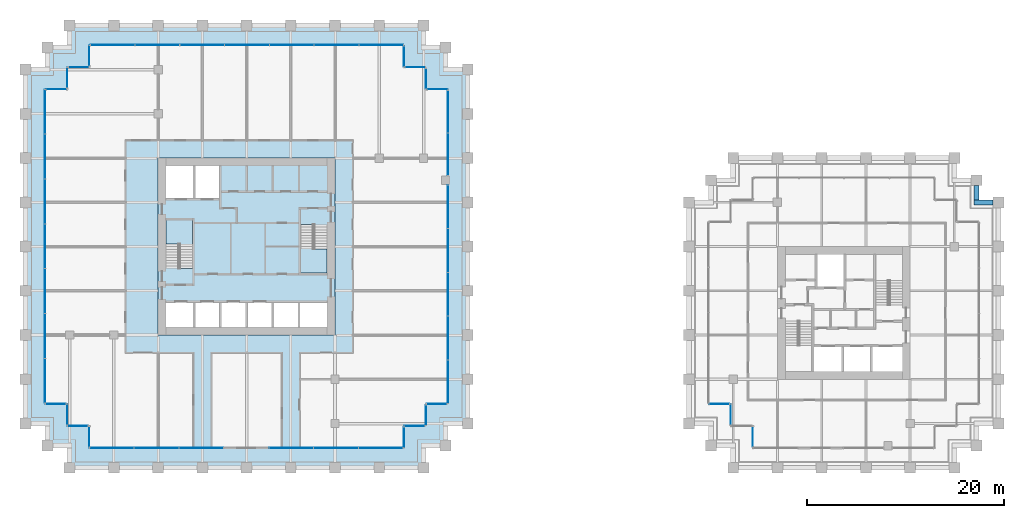
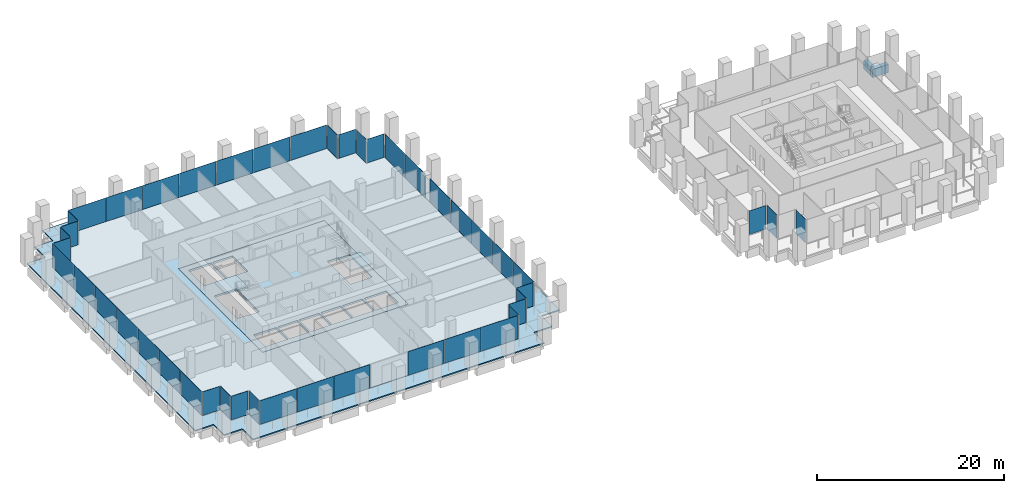
# One storey, part 48 of 56: 46 plates, 5 slabs, 2 beams, 27 elements without a shape of their own.
"""IFC4 building model written with IfcOpenShell, lengths in metres."""

from ifc_helpers import new_model, si_unit, direction, frame, origin, origin_2d, place, context, subcontext, project, spatial, polyline, rectangle, outline, extrude, material, layer, layer_set, material_profile, profile_set, type_object, element, aggregate, save


model = new_model("IFC4")

# Units and contexts
model_context = context("Model", 3, precision=1e-05, world=origin(), true_north=direction((0.0, 1.0)))
body_context = subcontext(model_context, "Body", "Model", "MODEL_VIEW")
ifc_project = project(units=[si_unit("LENGTHUNIT", "METRE"), si_unit("AREAUNIT", "SQUARE_METRE"), si_unit("VOLUMEUNIT", "CUBIC_METRE"), si_unit("PLANEANGLEUNIT", "RADIAN"), si_unit("MASSUNIT", "GRAM", prefix="KILO")], contexts=[model_context])

# Site, building, storey
site_placement = place(None, origin())
site = spatial("IfcSite", under=ifc_project, at=site_placement, CompositionType="ELEMENT")
building_placement = place(site_placement, origin())
building = spatial("IfcBuilding", under=site, at=building_placement, Name="Altepetl Exchange Towers", CompositionType="ELEMENT")
storey_placement = place(building_placement, frame((0.0, 0.0, 69.0)))
storey = spatial("IfcBuildingStorey", under=building, at=storey_placement, Name="L16", CompositionType="ELEMENT", Elevation=69.0)

# Beams
ifc_material_1 = material(Name="Concrete C50/60 precast with cantera amarilla facing", Category="concrete")
ifc_material_profile = material_profile(ifc_material_1, rectangle(XDim=0.5, YDim=1.10009765625, at=origin_2d()), Name="500 x 1100")
ifc_profile_set = profile_set([ifc_material_profile], Name="Concrete C50/60 precast with cantera amarilla facing")
beam_type = type_object("IfcBeamType", Name="Spandrel beam 500x1100 cantera amarilla", PredefinedType="SPANDREL", material=ifc_profile_set)
beam_1_placement = place(storey_placement, frame((125.449951171875, 54.0, -0.699951171875), z_axis=(-1.0, 0.0, 0.0), x_axis=(0.0, -1.0, 0.0)))
element("IfcBeam", 1, at=beam_1_placement, inside=storey, type_object=beam_type, Name="sp:B:L16:014", PredefinedType="SPANDREL", context=body_context, shape_type="SweptSolid", body=[
    extrude(rectangle(XDim=0.5, YDim=1.10009765625, at=origin_2d()), origin(), (0.0, 0.0, 1.0), 1.949951171875),
])
beam_2_placement = place(storey_placement, frame((123.75, 54.25, -0.699951171875), z_axis=(0.0, 1.0, 0.0), x_axis=(-1.0, 0.0, 0.0)))
element("IfcBeam", 2, at=beam_2_placement, inside=storey, type_object=beam_type, Name="sp:B:L16:015", PredefinedType="SPANDREL", context=body_context, shape_type="SweptSolid", body=[
    extrude(rectangle(XDim=0.5, YDim=1.10009765625, at=origin_2d()), origin(), (0.0, 0.0, 1.0), 1.449951171875),
])

# Slabs
ifc_material_2 = material(Name="Concrete C40/50", Category="concrete")
ifc_layer_1 = layer(ifc_material_2, 0.14990234375)
ifc_layer_set_1 = layer_set([ifc_layer_1], Name="Concrete C40/50")
slab_type_1 = type_object("IfcSlabType", Name="Composite floor slab 150", PredefinedType="FLOOR", material=ifc_layer_set_1)
slab_1_placement = place(storey_placement, frame((0.0, 0.0, -0.14990234375)))
element("IfcSlab", 3, at=slab_1_placement, inside=storey, type_object=slab_type_1, Name="slab:A:L16:strip0", PredefinedType="FLOOR", context=body_context, shape_type="SweptSolid", body=[
    extrude(outline(polyline([(31.25, 67.75), (31.25, 65.5), (29.0, 65.5), (29.0, 33.5), (31.25, 33.5), (31.25, 31.25), (33.5, 31.25), (33.5, 29.0), (65.5, 29.0), (65.5, 31.25), (67.75, 31.25), (67.75, 33.5), (70.0, 33.5), (70.0, 65.5), (67.75, 65.5), (67.75, 67.75), (65.5, 67.75), (65.5, 70.0), (33.5, 70.0), (33.5, 67.75), (31.25, 67.75)]), holes=[polyline([(58.5, 58.5), (58.5, 40.5), (40.5, 40.5), (40.5, 58.5), (58.5, 58.5)])]), origin(), (0.0, 0.0, 1.0), 0.14990234375),
])
ifc_layer_2 = layer(ifc_material_2, 0.25)
ifc_layer_set_2 = layer_set([ifc_layer_2], Name="Concrete C40/50")
slab_type_2 = type_object("IfcSlabType", Name="Core floor slab 250", PredefinedType="FLOOR", material=ifc_layer_set_2)
slab_2_placement = place(storey_placement, frame((0.0, 0.0, -0.25)))
element("IfcSlab", 4, at=slab_2_placement, inside=storey, type_object=slab_type_2, Name="slab:A:L16:core0", PredefinedType="FLOOR", context=body_context, shape_type="SweptSolid", body=[
    extrude(outline(polyline([(40.5, 40.5), (58.5, 40.5), (58.5, 58.5), (40.5, 58.5), (40.5, 40.5)]), holes=[polyline([(41.300048828125, 43.800048828125), (44.06689453125, 43.800048828125), (44.06689453125, 41.300048828125), (41.300048828125, 41.300048828125), (41.300048828125, 43.800048828125)]), polyline([(44.26708984375, 43.800048828125), (46.73291015625, 43.800048828125), (46.73291015625, 41.300048828125), (44.26708984375, 41.300048828125), (44.26708984375, 43.800048828125)]), polyline([(46.93310546875, 43.800048828125), (49.39990234375, 43.800048828125), (49.39990234375, 41.300048828125), (46.93310546875, 41.300048828125), (46.93310546875, 43.800048828125)]), polyline([(52.06689453125, 43.800048828125), (52.06689453125, 41.300048828125), (49.60009765625, 41.300048828125), (49.60009765625, 43.800048828125), (52.06689453125, 43.800048828125)]), polyline([(54.73291015625, 43.800048828125), (54.73291015625, 41.300048828125), (52.26708984375, 41.300048828125), (52.26708984375, 43.800048828125), (54.73291015625, 43.800048828125)]), polyline([(54.93310546875, 43.800048828125), (57.699951171875, 43.800048828125), (57.699951171875, 41.300048828125), (54.93310546875, 41.300048828125), (54.93310546875, 43.800048828125)]), polyline([(55.0, 51.7490234375), (56.39990234375, 51.7490234375), (56.39990234375, 51.64990234375), (57.699951171875, 51.64990234375), (57.699951171875, 46.800048828125), (55.0, 46.800048828125), (55.0, 51.7490234375)]), polyline([(44.0, 47.2509765625), (42.60009765625, 47.2509765625), (42.60009765625, 47.35009765625), (41.300048828125, 47.35009765625), (41.300048828125, 52.199951171875), (44.0, 52.199951171875), (44.0, 47.2509765625)]), polyline([(44.06689453125, 57.699951171875), (44.06689453125, 54.39990234375), (41.300048828125, 54.39990234375), (41.300048828125, 57.699951171875), (44.06689453125, 57.699951171875)]), polyline([(46.73291015625, 57.699951171875), (46.73291015625, 54.39990234375), (44.26708984375, 54.39990234375), (44.26708984375, 57.699951171875), (46.73291015625, 57.699951171875)])]), origin(), (0.0, 0.0, 1.0), 0.25),
])

# Curtain wall, plate
ifc_material_3 = material(Name="Aluminium 6063-T6 glazing", Category="aluminium")
curtain_wall_type = type_object("IfcCurtainWallType", Name="Loggia glazing system", PredefinedType="NOTDEFINED", material=ifc_material_3)
curtain_wall_1_placement = place(storey_placement, origin())
curtain_wall_1 = element("IfcCurtainWall", 5, at=curtain_wall_1_placement, inside=storey, type_object=curtain_wall_type, Name="CW1 run", PredefinedType="NOTDEFINED")
ifc_material_4 = material(Name="Glass 6-16-6 low emissivity", Category="glass")
ifc_layer_3 = layer(ifc_material_4, 0.028076171875)
ifc_layer_set_3 = layer_set([ifc_layer_3], Name="Glass 6-16-6 low emissivity")
plate_type = type_object("IfcPlateType", Name="Glass panel 28 double glazed", PredefinedType="CURTAIN_PANEL", material=ifc_layer_set_3)
plate_1_placement = place(storey_placement, frame((30.16259765625, 65.5, 0.0), z_axis=(0.0, 0.0, 1.0), x_axis=(-1.0, 0.0, 0.0)))
plate_1 = element("IfcPlate", 6, at=plate_1_placement, type_object=plate_type, Name="GP1 panel", PredefinedType="CURTAIN_PANEL", context=body_context, shape_type="SweptSolid", body=[
    extrude(rectangle(XDim=2.054931640625, YDim=0.028076171875, at=origin_2d()), origin(), (0.0, 0.0, 1.0), 3.10009765625),
])
aggregate(curtain_wall_1, [plate_1])

# Curtain wall, plates
curtain_wall_2_placement = place(storey_placement, origin())
curtain_wall_2 = element("IfcCurtainWall", 7, at=curtain_wall_2_placement, inside=storey, type_object=curtain_wall_type, Name="CW1 run", PredefinedType="NOTDEFINED")
plate_2_placement = place(storey_placement, frame((29.0, 63.20458984375, 0.0), z_axis=(0.0, 0.0, 1.0), x_axis=(0.0, -1.0, 0.0)))
plate_2 = element("IfcPlate", 8, at=plate_2_placement, type_object=plate_type, Name="GP1 panel", PredefinedType="CURTAIN_PANEL", context=body_context, shape_type="SweptSolid", body=[
    extrude(rectangle(XDim=4.470703125, YDim=0.028076171875, at=origin_2d()), origin(), (0.0, 0.0, 1.0), 3.10009765625),
])
plate_3_placement = place(storey_placement, frame((29.0, 58.658935546875, 0.0), z_axis=(0.0, 0.0, 1.0), x_axis=(0.0, -1.0, 0.0)))
plate_3 = element("IfcPlate", 9, at=plate_3_placement, type_object=plate_type, Name="GP1 panel", PredefinedType="CURTAIN_PANEL", context=body_context, shape_type="SweptSolid", body=[
    extrude(rectangle(XDim=4.500732421875, YDim=0.028076171875, at=origin_2d()), origin(), (0.0, 0.0, 1.0), 3.10009765625),
])
plate_4_placement = place(storey_placement, frame((29.0, 54.09814453125, 0.0), z_axis=(0.0, 0.0, 1.0), x_axis=(0.0, -1.0, 0.0)))
plate_4 = element("IfcPlate", 10, at=plate_4_placement, type_object=plate_type, Name="GP1 panel", PredefinedType="CURTAIN_PANEL", context=body_context, shape_type="SweptSolid", body=[
    extrude(rectangle(XDim=4.500732421875, YDim=0.028076171875, at=origin_2d()), origin(), (0.0, 0.0, 1.0), 3.10009765625),
])
plate_5_placement = place(storey_placement, frame((29.0, 49.53759765625, 0.0), z_axis=(0.0, 0.0, 1.0), x_axis=(0.0, -1.0, 0.0)))
plate_5 = element("IfcPlate", 11, at=plate_5_placement, type_object=plate_type, Name="GP1 panel", PredefinedType="CURTAIN_PANEL", context=body_context, shape_type="SweptSolid", body=[
    extrude(rectangle(XDim=4.500732421875, YDim=0.028076171875, at=origin_2d()), origin(), (0.0, 0.0, 1.0), 3.10009765625),
])
plate_6_placement = place(storey_placement, frame((29.0, 44.976806640625, 0.0), z_axis=(0.0, 0.0, 1.0), x_axis=(0.0, -1.0, 0.0)))
plate_6 = element("IfcPlate", 12, at=plate_6_placement, type_object=plate_type, Name="GP1 panel", PredefinedType="CURTAIN_PANEL", context=body_context, shape_type="SweptSolid", body=[
    extrude(rectangle(XDim=4.500732421875, YDim=0.028076171875, at=origin_2d()), origin(), (0.0, 0.0, 1.0), 3.10009765625),
])
plate_7_placement = place(storey_placement, frame((29.0, 40.416015625, 0.0), z_axis=(0.0, 0.0, 1.0), x_axis=(0.0, -1.0, 0.0)))
plate_7 = element("IfcPlate", 13, at=plate_7_placement, type_object=plate_type, Name="GP1 panel", PredefinedType="CURTAIN_PANEL", context=body_context, shape_type="SweptSolid", body=[
    extrude(rectangle(XDim=4.500732421875, YDim=0.028076171875, at=origin_2d()), origin(), (0.0, 0.0, 1.0), 3.10009765625),
])
plate_8_placement = place(storey_placement, frame((29.0, 35.870361328125, 0.0), z_axis=(0.0, 0.0, 1.0), x_axis=(0.0, -1.0, 0.0)))
plate_8 = element("IfcPlate", 14, at=plate_8_placement, type_object=plate_type, Name="GP1 panel", PredefinedType="CURTAIN_PANEL", context=body_context, shape_type="SweptSolid", body=[
    extrude(rectangle(XDim=4.470703125, YDim=0.028076171875, at=origin_2d()), origin(), (0.0, 0.0, 1.0), 3.10009765625),
])
aggregate(curtain_wall_2, [plate_2, plate_3, plate_4, plate_5, plate_6, plate_7, plate_8])

# Curtain wall, plate
curtain_wall_3_placement = place(storey_placement, origin())
curtain_wall_3 = element("IfcCurtainWall", 15, at=curtain_wall_3_placement, inside=storey, type_object=curtain_wall_type, Name="CW1 run", PredefinedType="NOTDEFINED")
plate_9_placement = place(storey_placement, frame((30.08740234375, 33.5, 0.0)))
plate_9 = element("IfcPlate", 16, at=plate_9_placement, type_object=plate_type, Name="GP1 panel", PredefinedType="CURTAIN_PANEL", context=body_context, shape_type="SweptSolid", body=[
    extrude(rectangle(XDim=2.054931640625, YDim=0.028076171875, at=origin_2d()), origin(), (0.0, 0.0, 1.0), 3.10009765625),
])
aggregate(curtain_wall_3, [plate_9])

curtain_wall_4_placement = place(storey_placement, origin())
curtain_wall_4 = element("IfcCurtainWall", 17, at=curtain_wall_4_placement, inside=storey, type_object=curtain_wall_type, Name="CW1 run", PredefinedType="NOTDEFINED")
plate_10_placement = place(storey_placement, frame((31.25, 32.41259765625, 0.0), z_axis=(0.0, 0.0, 1.0), x_axis=(0.0, -1.0, 0.0)))
plate_10 = element("IfcPlate", 18, at=plate_10_placement, type_object=plate_type, Name="GP1 panel", PredefinedType="CURTAIN_PANEL", context=body_context, shape_type="SweptSolid", body=[
    extrude(rectangle(XDim=2.054931640625, YDim=0.028076171875, at=origin_2d()), origin(), (0.0, 0.0, 1.0), 3.10009765625),
])
aggregate(curtain_wall_4, [plate_10])

curtain_wall_5_placement = place(storey_placement, origin())
curtain_wall_5 = element("IfcCurtainWall", 19, at=curtain_wall_5_placement, inside=storey, type_object=curtain_wall_type, Name="CW1 run", PredefinedType="NOTDEFINED")
plate_11_placement = place(storey_placement, frame((32.33740234375, 31.25, 0.0)))
plate_11 = element("IfcPlate", 20, at=plate_11_placement, type_object=plate_type, Name="GP1 panel", PredefinedType="CURTAIN_PANEL", context=body_context, shape_type="SweptSolid", body=[
    extrude(rectangle(XDim=2.054931640625, YDim=0.028076171875, at=origin_2d()), origin(), (0.0, 0.0, 1.0), 3.10009765625),
])
aggregate(curtain_wall_5, [plate_11])

curtain_wall_6_placement = place(storey_placement, origin())
curtain_wall_6 = element("IfcCurtainWall", 21, at=curtain_wall_6_placement, inside=storey, type_object=curtain_wall_type, Name="CW1 run", PredefinedType="NOTDEFINED")
plate_12_placement = place(storey_placement, frame((33.5, 30.16259765625, 0.0), z_axis=(0.0, 0.0, 1.0), x_axis=(0.0, -1.0, 0.0)))
plate_12 = element("IfcPlate", 22, at=plate_12_placement, type_object=plate_type, Name="GP1 panel", PredefinedType="CURTAIN_PANEL", context=body_context, shape_type="SweptSolid", body=[
    extrude(rectangle(XDim=2.054931640625, YDim=0.028076171875, at=origin_2d()), origin(), (0.0, 0.0, 1.0), 3.10009765625),
])
aggregate(curtain_wall_6, [plate_12])

# Curtain wall, plates
curtain_wall_7_placement = place(storey_placement, origin())
curtain_wall_7 = element("IfcCurtainWall", 23, at=curtain_wall_7_placement, inside=storey, type_object=curtain_wall_type, Name="CW1 run", PredefinedType="NOTDEFINED")
plate_13_placement = place(storey_placement, frame((35.79541015625, 29.0, 0.0)))
plate_13 = element("IfcPlate", 24, at=plate_13_placement, type_object=plate_type, Name="GP1 panel", PredefinedType="CURTAIN_PANEL", context=body_context, shape_type="SweptSolid", body=[
    extrude(rectangle(XDim=4.470703125, YDim=0.028076171875, at=origin_2d()), origin(), (0.0, 0.0, 1.0), 3.10009765625),
])
plate_14_placement = place(storey_placement, frame((40.341064453125, 29.0, 0.0)))
plate_14 = element("IfcPlate", 25, at=plate_14_placement, type_object=plate_type, Name="GP1 panel", PredefinedType="CURTAIN_PANEL", context=body_context, shape_type="SweptSolid", body=[
    extrude(rectangle(XDim=4.500732421875, YDim=0.028076171875, at=origin_2d()), origin(), (0.0, 0.0, 1.0), 3.10009765625),
])
plate_15_placement = place(storey_placement, frame((44.88671875, 29.0, 0.0)))
plate_15 = element("IfcPlate", 26, at=plate_15_placement, type_object=plate_type, Name="GP1 panel", PredefinedType="CURTAIN_PANEL", context=body_context, shape_type="SweptSolid", body=[
    extrude(rectangle(XDim=4.470703125, YDim=0.028076171875, at=origin_2d()), origin(), (0.0, 0.0, 1.0), 3.10009765625),
])
aggregate(curtain_wall_7, [plate_13, plate_14, plate_15])

curtain_wall_8_placement = place(storey_placement, origin())
curtain_wall_8 = element("IfcCurtainWall", 27, at=curtain_wall_8_placement, inside=storey, type_object=curtain_wall_type, Name="CW1 run", PredefinedType="NOTDEFINED")
plate_16_placement = place(storey_placement, frame((54.038330078125, 29.0, 0.0)))
plate_16 = element("IfcPlate", 28, at=plate_16_placement, type_object=plate_type, Name="GP1 panel", PredefinedType="CURTAIN_PANEL", context=body_context, shape_type="SweptSolid", body=[
    extrude(rectangle(XDim=4.470703125, YDim=0.028076171875, at=origin_2d()), origin(), (0.0, 0.0, 1.0), 3.10009765625),
])
plate_17_placement = place(storey_placement, frame((58.583984375, 29.0, 0.0)))
plate_17 = element("IfcPlate", 29, at=plate_17_placement, type_object=plate_type, Name="GP1 panel", PredefinedType="CURTAIN_PANEL", context=body_context, shape_type="SweptSolid", body=[
    extrude(rectangle(XDim=4.500732421875, YDim=0.028076171875, at=origin_2d()), origin(), (0.0, 0.0, 1.0), 3.10009765625),
])
plate_18_placement = place(storey_placement, frame((63.129638671875, 29.0, 0.0)))
plate_18 = element("IfcPlate", 30, at=plate_18_placement, type_object=plate_type, Name="GP1 panel", PredefinedType="CURTAIN_PANEL", context=body_context, shape_type="SweptSolid", body=[
    extrude(rectangle(XDim=4.470703125, YDim=0.028076171875, at=origin_2d()), origin(), (0.0, 0.0, 1.0), 3.10009765625),
])
aggregate(curtain_wall_8, [plate_16, plate_17, plate_18])

# Curtain wall, plate
curtain_wall_9_placement = place(storey_placement, origin())
curtain_wall_9 = element("IfcCurtainWall", 31, at=curtain_wall_9_placement, inside=storey, type_object=curtain_wall_type, Name="CW1 run", PredefinedType="NOTDEFINED")
plate_19_placement = place(storey_placement, frame((65.5, 30.08740234375, 0.0), z_axis=(0.0, 0.0, 1.0), x_axis=(0.0, 1.0, 0.0)))
plate_19 = element("IfcPlate", 32, at=plate_19_placement, type_object=plate_type, Name="GP1 panel", PredefinedType="CURTAIN_PANEL", context=body_context, shape_type="SweptSolid", body=[
    extrude(rectangle(XDim=2.054931640625, YDim=0.028076171875, at=origin_2d()), origin(), (0.0, 0.0, 1.0), 3.10009765625),
])
aggregate(curtain_wall_9, [plate_19])

curtain_wall_10_placement = place(storey_placement, origin())
curtain_wall_10 = element("IfcCurtainWall", 33, at=curtain_wall_10_placement, inside=storey, type_object=curtain_wall_type, Name="CW1 run", PredefinedType="NOTDEFINED")
plate_20_placement = place(storey_placement, frame((66.58740234375, 31.25, 0.0)))
plate_20 = element("IfcPlate", 34, at=plate_20_placement, type_object=plate_type, Name="GP1 panel", PredefinedType="CURTAIN_PANEL", context=body_context, shape_type="SweptSolid", body=[
    extrude(rectangle(XDim=2.054931640625, YDim=0.028076171875, at=origin_2d()), origin(), (0.0, 0.0, 1.0), 3.10009765625),
])
aggregate(curtain_wall_10, [plate_20])

curtain_wall_11_placement = place(storey_placement, origin())
curtain_wall_11 = element("IfcCurtainWall", 35, at=curtain_wall_11_placement, inside=storey, type_object=curtain_wall_type, Name="CW1 run", PredefinedType="NOTDEFINED")
plate_21_placement = place(storey_placement, frame((67.75, 32.33740234375, 0.0), z_axis=(0.0, 0.0, 1.0), x_axis=(0.0, 1.0, 0.0)))
plate_21 = element("IfcPlate", 36, at=plate_21_placement, type_object=plate_type, Name="GP1 panel", PredefinedType="CURTAIN_PANEL", context=body_context, shape_type="SweptSolid", body=[
    extrude(rectangle(XDim=2.054931640625, YDim=0.028076171875, at=origin_2d()), origin(), (0.0, 0.0, 1.0), 3.10009765625),
])
aggregate(curtain_wall_11, [plate_21])

curtain_wall_12_placement = place(storey_placement, origin())
curtain_wall_12 = element("IfcCurtainWall", 37, at=curtain_wall_12_placement, inside=storey, type_object=curtain_wall_type, Name="CW1 run", PredefinedType="NOTDEFINED")
plate_22_placement = place(storey_placement, frame((68.83740234375, 33.5, 0.0)))
plate_22 = element("IfcPlate", 38, at=plate_22_placement, type_object=plate_type, Name="GP1 panel", PredefinedType="CURTAIN_PANEL", context=body_context, shape_type="SweptSolid", body=[
    extrude(rectangle(XDim=2.054931640625, YDim=0.028076171875, at=origin_2d()), origin(), (0.0, 0.0, 1.0), 3.10009765625),
])
aggregate(curtain_wall_12, [plate_22])

# Curtain wall, plates
curtain_wall_13_placement = place(storey_placement, origin())
curtain_wall_13 = element("IfcCurtainWall", 39, at=curtain_wall_13_placement, inside=storey, type_object=curtain_wall_type, Name="CW1 run", PredefinedType="NOTDEFINED")
plate_23_placement = place(storey_placement, frame((70.0, 35.74560546875, 0.0), z_axis=(0.0, 0.0, 1.0), x_axis=(0.0, 1.0, 0.0)))
plate_23 = element("IfcPlate", 40, at=plate_23_placement, type_object=plate_type, Name="GP1 panel", PredefinedType="CURTAIN_PANEL", context=body_context, shape_type="SweptSolid", body=[
    extrude(rectangle(XDim=4.37109375, YDim=0.028076171875, at=origin_2d()), origin(), (0.0, 0.0, 1.0), 3.10009765625),
])
plate_24_placement = place(storey_placement, frame((70.0, 40.19140625, 0.0), z_axis=(0.0, 0.0, 1.0), x_axis=(0.0, 1.0, 0.0)))
plate_24 = element("IfcPlate", 41, at=plate_24_placement, type_object=plate_type, Name="GP1 panel", PredefinedType="CURTAIN_PANEL", context=body_context, shape_type="SweptSolid", body=[
    extrude(rectangle(XDim=4.40087890625, YDim=0.028076171875, at=origin_2d()), origin(), (0.0, 0.0, 1.0), 3.10009765625),
])
plate_25_placement = place(storey_placement, frame((70.0, 44.652587890625, 0.0), z_axis=(0.0, 0.0, 1.0), x_axis=(0.0, 1.0, 0.0)))
plate_25 = element("IfcPlate", 42, at=plate_25_placement, type_object=plate_type, Name="GP1 panel", PredefinedType="CURTAIN_PANEL", context=body_context, shape_type="SweptSolid", body=[
    extrude(rectangle(XDim=4.40087890625, YDim=0.028076171875, at=origin_2d()), origin(), (0.0, 0.0, 1.0), 3.10009765625),
])
plate_26_placement = place(storey_placement, frame((70.0, 49.113525390625, 0.0), z_axis=(0.0, 0.0, 1.0), x_axis=(0.0, 1.0, 0.0)))
plate_26 = element("IfcPlate", 43, at=plate_26_placement, type_object=plate_type, Name="GP1 panel", PredefinedType="CURTAIN_PANEL", context=body_context, shape_type="SweptSolid", body=[
    extrude(rectangle(XDim=4.40087890625, YDim=0.028076171875, at=origin_2d()), origin(), (0.0, 0.0, 1.0), 3.10009765625),
])
plate_27_placement = place(storey_placement, frame((70.0, 53.5595703125, 0.0), z_axis=(0.0, 0.0, 1.0), x_axis=(0.0, 1.0, 0.0)))
plate_27 = element("IfcPlate", 44, at=plate_27_placement, type_object=plate_type, Name="GP1 panel", PredefinedType="CURTAIN_PANEL", context=body_context, shape_type="SweptSolid", body=[
    extrude(rectangle(XDim=4.37109375, YDim=0.028076171875, at=origin_2d()), origin(), (0.0, 0.0, 1.0), 3.10009765625),
])
aggregate(curtain_wall_13, [plate_23, plate_24, plate_25, plate_26, plate_27])

curtain_wall_14_placement = place(storey_placement, origin())
curtain_wall_14 = element("IfcCurtainWall", 45, at=curtain_wall_14_placement, inside=storey, type_object=curtain_wall_type, Name="CW1 run", PredefinedType="NOTDEFINED")
plate_28_placement = place(storey_placement, frame((70.0, 58.892578125, 0.0), z_axis=(0.0, 0.0, 1.0), x_axis=(0.0, 1.0, 0.0)))
plate_28 = element("IfcPlate", 46, at=plate_28_placement, type_object=plate_type, Name="GP1 panel", PredefinedType="CURTAIN_PANEL", context=body_context, shape_type="SweptSolid", body=[
    extrude(rectangle(XDim=4.27490234375, YDim=0.028076171875, at=origin_2d()), origin(), (0.0, 0.0, 1.0), 3.10009765625),
])
plate_29_placement = place(storey_placement, frame((70.0, 63.2275390625, 0.0), z_axis=(0.0, 0.0, 1.0), x_axis=(0.0, 1.0, 0.0)))
plate_29 = element("IfcPlate", 47, at=plate_29_placement, type_object=plate_type, Name="GP1 panel", PredefinedType="CURTAIN_PANEL", context=body_context, shape_type="SweptSolid", body=[
    extrude(rectangle(XDim=4.27490234375, YDim=0.028076171875, at=origin_2d()), origin(), (0.0, 0.0, 1.0), 3.10009765625),
])
aggregate(curtain_wall_14, [plate_28, plate_29])

# Curtain wall, plate
curtain_wall_15_placement = place(storey_placement, origin())
curtain_wall_15 = element("IfcCurtainWall", 48, at=curtain_wall_15_placement, inside=storey, type_object=curtain_wall_type, Name="CW1 run", PredefinedType="NOTDEFINED")
plate_30_placement = place(storey_placement, frame((68.91259765625, 65.5, 0.0), z_axis=(0.0, 0.0, 1.0), x_axis=(-1.0, 0.0, 0.0)))
plate_30 = element("IfcPlate", 49, at=plate_30_placement, type_object=plate_type, Name="GP1 panel", PredefinedType="CURTAIN_PANEL", context=body_context, shape_type="SweptSolid", body=[
    extrude(rectangle(XDim=2.054931640625, YDim=0.028076171875, at=origin_2d()), origin(), (0.0, 0.0, 1.0), 3.10009765625),
])
aggregate(curtain_wall_15, [plate_30])

curtain_wall_16_placement = place(storey_placement, origin())
curtain_wall_16 = element("IfcCurtainWall", 50, at=curtain_wall_16_placement, inside=storey, type_object=curtain_wall_type, Name="CW1 run", PredefinedType="NOTDEFINED")
plate_31_placement = place(storey_placement, frame((67.75, 66.58740234375, 0.0), z_axis=(0.0, 0.0, 1.0), x_axis=(0.0, 1.0, 0.0)))
plate_31 = element("IfcPlate", 51, at=plate_31_placement, type_object=plate_type, Name="GP1 panel", PredefinedType="CURTAIN_PANEL", context=body_context, shape_type="SweptSolid", body=[
    extrude(rectangle(XDim=2.054931640625, YDim=0.028076171875, at=origin_2d()), origin(), (0.0, 0.0, 1.0), 3.10009765625),
])
aggregate(curtain_wall_16, [plate_31])

curtain_wall_17_placement = place(storey_placement, origin())
curtain_wall_17 = element("IfcCurtainWall", 52, at=curtain_wall_17_placement, inside=storey, type_object=curtain_wall_type, Name="CW1 run", PredefinedType="NOTDEFINED")
plate_32_placement = place(storey_placement, frame((66.66259765625, 67.75, 0.0), z_axis=(0.0, 0.0, 1.0), x_axis=(-1.0, 0.0, 0.0)))
plate_32 = element("IfcPlate", 53, at=plate_32_placement, type_object=plate_type, Name="GP1 panel", PredefinedType="CURTAIN_PANEL", context=body_context, shape_type="SweptSolid", body=[
    extrude(rectangle(XDim=2.054931640625, YDim=0.028076171875, at=origin_2d()), origin(), (0.0, 0.0, 1.0), 3.10009765625),
])
aggregate(curtain_wall_17, [plate_32])

curtain_wall_18_placement = place(storey_placement, origin())
curtain_wall_18 = element("IfcCurtainWall", 54, at=curtain_wall_18_placement, inside=storey, type_object=curtain_wall_type, Name="CW1 run", PredefinedType="NOTDEFINED")
plate_33_placement = place(storey_placement, frame((65.5, 68.83740234375, 0.0), z_axis=(0.0, 0.0, 1.0), x_axis=(0.0, 1.0, 0.0)))
plate_33 = element("IfcPlate", 55, at=plate_33_placement, type_object=plate_type, Name="GP1 panel", PredefinedType="CURTAIN_PANEL", context=body_context, shape_type="SweptSolid", body=[
    extrude(rectangle(XDim=2.054931640625, YDim=0.028076171875, at=origin_2d()), origin(), (0.0, 0.0, 1.0), 3.10009765625),
])
aggregate(curtain_wall_18, [plate_33])

# Curtain wall, plates
curtain_wall_19_placement = place(storey_placement, origin())
curtain_wall_19 = element("IfcCurtainWall", 56, at=curtain_wall_19_placement, inside=storey, type_object=curtain_wall_type, Name="CW1 run", PredefinedType="NOTDEFINED")
plate_34_placement = place(storey_placement, frame((63.20458984375, 70.0, 0.0), z_axis=(0.0, 0.0, 1.0), x_axis=(-1.0, 0.0, 0.0)))
plate_34 = element("IfcPlate", 57, at=plate_34_placement, type_object=plate_type, Name="GP1 panel", PredefinedType="CURTAIN_PANEL", context=body_context, shape_type="SweptSolid", body=[
    extrude(rectangle(XDim=4.470703125, YDim=0.028076171875, at=origin_2d()), origin(), (0.0, 0.0, 1.0), 3.10009765625),
])
plate_35_placement = place(storey_placement, frame((58.658935546875, 70.0, 0.0), z_axis=(0.0, 0.0, 1.0), x_axis=(-1.0, 0.0, 0.0)))
plate_35 = element("IfcPlate", 58, at=plate_35_placement, type_object=plate_type, Name="GP1 panel", PredefinedType="CURTAIN_PANEL", context=body_context, shape_type="SweptSolid", body=[
    extrude(rectangle(XDim=4.500732421875, YDim=0.028076171875, at=origin_2d()), origin(), (0.0, 0.0, 1.0), 3.10009765625),
])
plate_36_placement = place(storey_placement, frame((54.09814453125, 70.0, 0.0), z_axis=(0.0, 0.0, 1.0), x_axis=(-1.0, 0.0, 0.0)))
plate_36 = element("IfcPlate", 59, at=plate_36_placement, type_object=plate_type, Name="GP1 panel", PredefinedType="CURTAIN_PANEL", context=body_context, shape_type="SweptSolid", body=[
    extrude(rectangle(XDim=4.500732421875, YDim=0.028076171875, at=origin_2d()), origin(), (0.0, 0.0, 1.0), 3.10009765625),
])
plate_37_placement = place(storey_placement, frame((49.53759765625, 70.0, 0.0), z_axis=(0.0, 0.0, 1.0), x_axis=(-1.0, 0.0, 0.0)))
plate_37 = element("IfcPlate", 60, at=plate_37_placement, type_object=plate_type, Name="GP1 panel", PredefinedType="CURTAIN_PANEL", context=body_context, shape_type="SweptSolid", body=[
    extrude(rectangle(XDim=4.500732421875, YDim=0.028076171875, at=origin_2d()), origin(), (0.0, 0.0, 1.0), 3.10009765625),
])
plate_38_placement = place(storey_placement, frame((44.976806640625, 70.0, 0.0), z_axis=(0.0, 0.0, 1.0), x_axis=(-1.0, 0.0, 0.0)))
plate_38 = element("IfcPlate", 61, at=plate_38_placement, type_object=plate_type, Name="GP1 panel", PredefinedType="CURTAIN_PANEL", context=body_context, shape_type="SweptSolid", body=[
    extrude(rectangle(XDim=4.500732421875, YDim=0.028076171875, at=origin_2d()), origin(), (0.0, 0.0, 1.0), 3.10009765625),
])
plate_39_placement = place(storey_placement, frame((40.416015625, 70.0, 0.0), z_axis=(0.0, 0.0, 1.0), x_axis=(-1.0, 0.0, 0.0)))
plate_39 = element("IfcPlate", 62, at=plate_39_placement, type_object=plate_type, Name="GP1 panel", PredefinedType="CURTAIN_PANEL", context=body_context, shape_type="SweptSolid", body=[
    extrude(rectangle(XDim=4.500732421875, YDim=0.028076171875, at=origin_2d()), origin(), (0.0, 0.0, 1.0), 3.10009765625),
])
plate_40_placement = place(storey_placement, frame((35.870361328125, 70.0, 0.0), z_axis=(0.0, 0.0, 1.0), x_axis=(-1.0, 0.0, 0.0)))
plate_40 = element("IfcPlate", 63, at=plate_40_placement, type_object=plate_type, Name="GP1 panel", PredefinedType="CURTAIN_PANEL", context=body_context, shape_type="SweptSolid", body=[
    extrude(rectangle(XDim=4.470703125, YDim=0.028076171875, at=origin_2d()), origin(), (0.0, 0.0, 1.0), 3.10009765625),
])
aggregate(curtain_wall_19, [plate_34, plate_35, plate_36, plate_37, plate_38, plate_39, plate_40])

# Curtain wall, plate
curtain_wall_20_placement = place(storey_placement, origin())
curtain_wall_20 = element("IfcCurtainWall", 64, at=curtain_wall_20_placement, inside=storey, type_object=curtain_wall_type, Name="CW1 run", PredefinedType="NOTDEFINED")
plate_41_placement = place(storey_placement, frame((33.5, 68.91259765625, 0.0), z_axis=(0.0, 0.0, 1.0), x_axis=(0.0, -1.0, 0.0)))
plate_41 = element("IfcPlate", 65, at=plate_41_placement, type_object=plate_type, Name="GP1 panel", PredefinedType="CURTAIN_PANEL", context=body_context, shape_type="SweptSolid", body=[
    extrude(rectangle(XDim=2.054931640625, YDim=0.028076171875, at=origin_2d()), origin(), (0.0, 0.0, 1.0), 3.10009765625),
])
aggregate(curtain_wall_20, [plate_41])

curtain_wall_21_placement = place(storey_placement, origin())
curtain_wall_21 = element("IfcCurtainWall", 66, at=curtain_wall_21_placement, inside=storey, type_object=curtain_wall_type, Name="CW1 run", PredefinedType="NOTDEFINED")
plate_42_placement = place(storey_placement, frame((32.41259765625, 67.75, 0.0), z_axis=(0.0, 0.0, 1.0), x_axis=(-1.0, 0.0, 0.0)))
plate_42 = element("IfcPlate", 67, at=plate_42_placement, type_object=plate_type, Name="GP1 panel", PredefinedType="CURTAIN_PANEL", context=body_context, shape_type="SweptSolid", body=[
    extrude(rectangle(XDim=2.054931640625, YDim=0.028076171875, at=origin_2d()), origin(), (0.0, 0.0, 1.0), 3.10009765625),
])
aggregate(curtain_wall_21, [plate_42])

curtain_wall_22_placement = place(storey_placement, origin())
curtain_wall_22 = element("IfcCurtainWall", 68, at=curtain_wall_22_placement, inside=storey, type_object=curtain_wall_type, Name="CW1 run", PredefinedType="NOTDEFINED")
plate_43_placement = place(storey_placement, frame((31.25, 66.66259765625, 0.0), z_axis=(0.0, 0.0, 1.0), x_axis=(0.0, -1.0, 0.0)))
plate_43 = element("IfcPlate", 69, at=plate_43_placement, type_object=plate_type, Name="GP1 panel", PredefinedType="CURTAIN_PANEL", context=body_context, shape_type="SweptSolid", body=[
    extrude(rectangle(XDim=2.054931640625, YDim=0.028076171875, at=origin_2d()), origin(), (0.0, 0.0, 1.0), 3.10009765625),
])
aggregate(curtain_wall_22, [plate_43])

curtain_wall_23_placement = place(storey_placement, origin())
curtain_wall_23 = element("IfcCurtainWall", 70, at=curtain_wall_23_placement, inside=storey, type_object=curtain_wall_type, Name="CW1 run", PredefinedType="NOTDEFINED")
plate_44_placement = place(storey_placement, frame((97.58740234375, 33.5, 0.0)))
plate_44 = element("IfcPlate", 71, at=plate_44_placement, type_object=plate_type, Name="GP1 panel", PredefinedType="CURTAIN_PANEL", context=body_context, shape_type="SweptSolid", body=[
    extrude(rectangle(XDim=2.054931640625, YDim=0.028076171875, at=origin_2d()), origin(), (0.0, 0.0, 1.0), 3.10009765625),
])
aggregate(curtain_wall_23, [plate_44])

curtain_wall_24_placement = place(storey_placement, origin())
curtain_wall_24 = element("IfcCurtainWall", 72, at=curtain_wall_24_placement, inside=storey, type_object=curtain_wall_type, Name="CW1 run", PredefinedType="NOTDEFINED")
plate_45_placement = place(storey_placement, frame((98.75, 32.41259765625, 0.0), z_axis=(0.0, 0.0, 1.0), x_axis=(0.0, -1.0, 0.0)))
plate_45 = element("IfcPlate", 73, at=plate_45_placement, type_object=plate_type, Name="GP1 panel", PredefinedType="CURTAIN_PANEL", context=body_context, shape_type="SweptSolid", body=[
    extrude(rectangle(XDim=2.054931640625, YDim=0.028076171875, at=origin_2d()), origin(), (0.0, 0.0, 1.0), 3.10009765625),
])
aggregate(curtain_wall_24, [plate_45])

curtain_wall_25_placement = place(storey_placement, origin())
curtain_wall_25 = element("IfcCurtainWall", 74, at=curtain_wall_25_placement, inside=storey, type_object=curtain_wall_type, Name="CW1 run", PredefinedType="NOTDEFINED")
plate_46_placement = place(storey_placement, frame((101.0, 30.16259765625, 0.0), z_axis=(0.0, 0.0, 1.0), x_axis=(0.0, -1.0, 0.0)))
plate_46 = element("IfcPlate", 75, at=plate_46_placement, type_object=plate_type, Name="GP1 panel", PredefinedType="CURTAIN_PANEL", context=body_context, shape_type="SweptSolid", body=[
    extrude(rectangle(XDim=2.054931640625, YDim=0.028076171875, at=origin_2d()), origin(), (0.0, 0.0, 1.0), 3.10009765625),
])
aggregate(curtain_wall_25, [plate_46])

# Slab
ifc_layer_4 = layer(ifc_material_2, 0.14990234375)
ifc_layer_set_4 = layer_set([ifc_layer_4], Name="Concrete C40/50")
slab_type_3 = type_object("IfcSlabType", Name="Loggia slab 150", PredefinedType="FLOOR", material=ifc_layer_set_4)
slab_3_placement = place(storey_placement, frame((0.0, 0.0, -0.14990234375)))
element("IfcSlab", 76, at=slab_3_placement, inside=storey, type_object=slab_type_3, Name="slab:A:L16:loggia0", PredefinedType="FLOOR", context=body_context, shape_type="SweptSolid", body=[
    extrude(outline(polyline([(29.25, 67.5), (27.0, 67.5), (27.0, 40.5), (27.0, 31.5), (29.25, 31.5), (29.25, 29.25), (31.5, 29.25), (31.5, 27.0), (58.5, 27.0), (67.5, 27.0), (67.5, 29.25), (69.75, 29.25), (69.75, 31.5), (72.0, 31.5), (72.0, 58.5), (72.0, 67.5), (69.75, 67.5), (69.75, 69.75), (67.5, 69.75), (67.5, 72.0), (40.5, 72.0), (31.5, 72.0), (31.5, 69.75), (29.25, 69.75), (29.25, 67.5)]), holes=[polyline([(29.0, 65.5), (31.25, 65.5), (31.25, 67.75), (33.5, 67.75), (33.5, 70.0), (65.5, 70.0), (65.5, 67.75), (67.75, 67.75), (67.75, 65.5), (70.0, 65.5), (70.0, 33.5), (67.75, 33.5), (67.75, 31.25), (65.5, 31.25), (65.5, 29.0), (33.5, 29.0), (33.5, 31.25), (31.25, 31.25), (31.25, 33.5), (29.0, 33.5), (29.0, 65.5)])]), origin(), (0.0, 0.0, 1.0), 0.14990234375),
])

# Stair, slab
stair_type = type_object("IfcStairType", Name="Exit stair 1300 flights dogleg", PredefinedType="HALF_TURN_STAIR", material=ifc_material_2)
stair_1_placement = place(storey_placement, origin())
stair_1 = element("IfcStair", 77, at=stair_1_placement, inside=storey, type_object=stair_type, Name="Exit stair 1", PredefinedType="HALF_TURN_STAIR")
ifc_layer_5 = layer(ifc_material_2, 0.199951171875)
ifc_layer_set_5 = layer_set([ifc_layer_5], Name="Concrete C40/50")
slab_type_4 = type_object("IfcSlabType", Name="Stair landing 200 reinforced concrete", PredefinedType="LANDING", material=ifc_layer_set_5)
slab_4_placement = place(storey_placement, frame((0.0, 0.0, 1.60009765625)))
slab_4 = element("IfcSlab", 78, at=slab_4_placement, type_object=slab_type_4, Name="ST-A1c landing 1", PredefinedType="LANDING", context=body_context, shape_type="SweptSolid", body=[
    extrude(outline(polyline([(44.0, 49.669921875), (42.699951171875, 49.669921875), (42.699951171875, 49.77001953125), (42.60009765625, 49.77001953125), (42.60009765625, 49.769287109375), (41.300048828125, 49.769287109375), (41.300048828125, 49.77001953125), (41.300048828125, 52.199951171875), (44.0, 52.199951171875), (44.0, 49.77001953125), (44.0, 49.669921875)])), origin(), (0.0, 0.0, 1.0), 0.199951171875),
])
aggregate(stair_1, [slab_4])

stair_2_placement = place(storey_placement, origin())
stair_2 = element("IfcStair", 79, at=stair_2_placement, inside=storey, type_object=stair_type, Name="Exit stair 2", PredefinedType="HALF_TURN_STAIR")
slab_5_placement = place(storey_placement, frame((0.0, 0.0, 1.60009765625)))
slab_5 = element("IfcSlab", 80, at=slab_5_placement, type_object=slab_type_4, Name="ST-A2c landing 1", PredefinedType="LANDING", context=body_context, shape_type="SweptSolid", body=[
    extrude(outline(polyline([(57.699951171875, 46.800048828125), (55.0, 46.800048828125), (55.0, 49.22998046875), (55.0, 49.330078125), (56.300048828125, 49.330078125), (56.300048828125, 49.22998046875), (56.39990234375, 49.22998046875), (56.39990234375, 49.230712890625), (57.699951171875, 49.230712890625), (57.699951171875, 49.22998046875), (57.699951171875, 46.800048828125)])), origin(), (0.0, 0.0, 1.0), 0.199951171875),
])
aggregate(stair_2, [slab_5])

save(model, "model.ifc")
